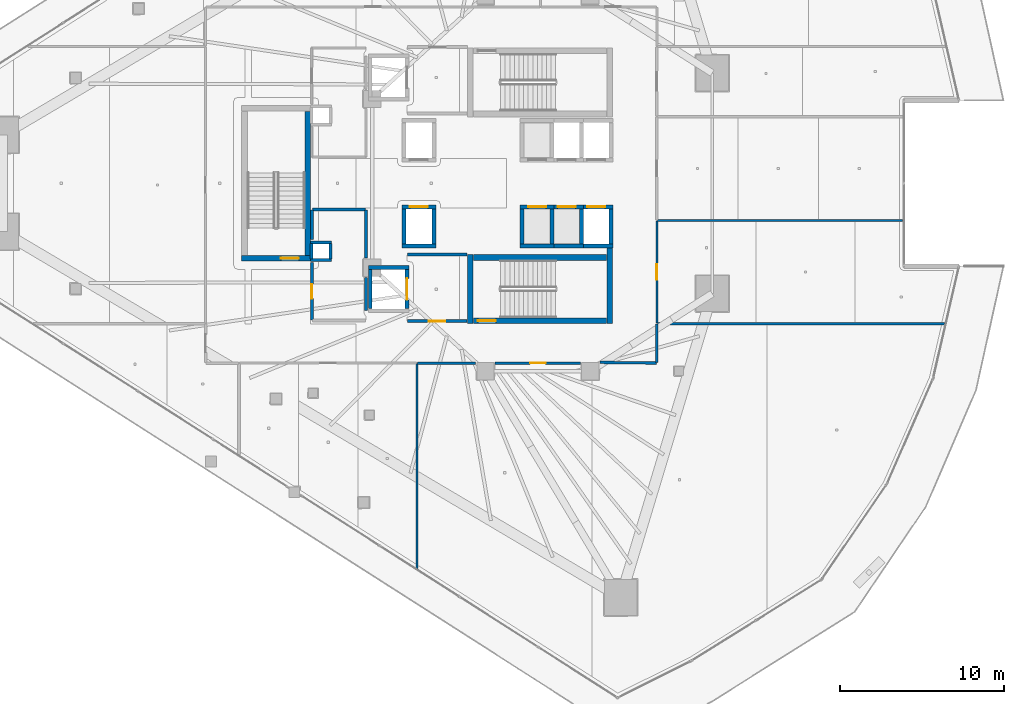
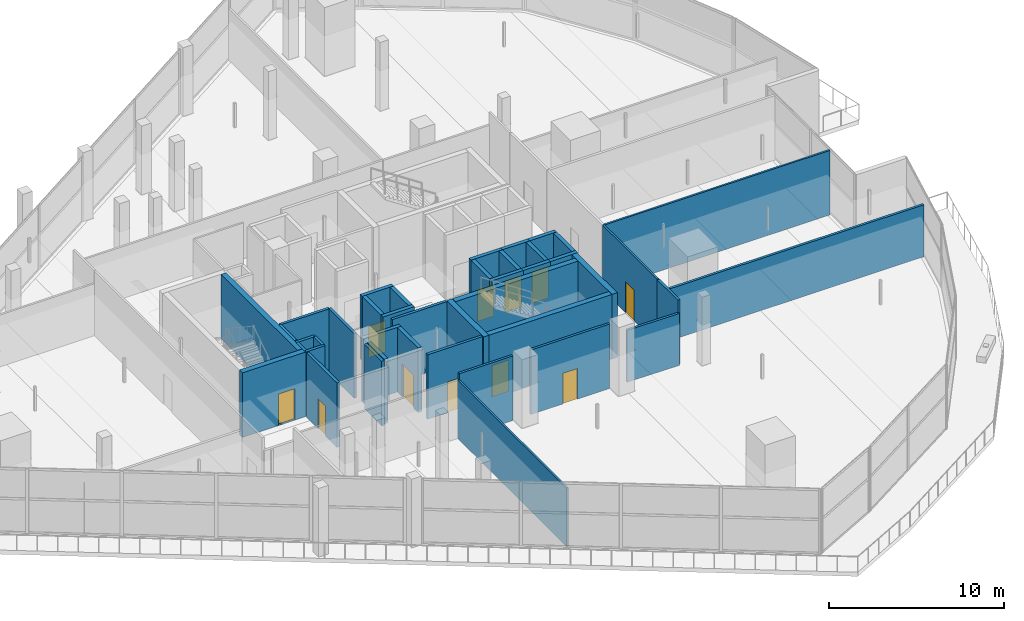
# One storey, part 26 of 42: 42 walls, 11 doors, 11 openings.
"""IFC4 building model written with IfcOpenShell, lengths in metres."""

from ifc_helpers import new_model, si_unit, direction, frame, frame_2d, origin, place, context, subcontext, project, spatial, rectangle, extrude, material, layer, layer_set, type_object, element, fill, save


model = new_model("IFC4")

# Units and contexts
model_context = context("Model", 3, precision=1e-05, world=origin(), true_north=direction((0.0, 1.0)))
body_context = subcontext(model_context, "Body", "Model", "MODEL_VIEW")
ifc_project = project(units=[si_unit("LENGTHUNIT", "METRE"), si_unit("AREAUNIT", "SQUARE_METRE"), si_unit("VOLUMEUNIT", "CUBIC_METRE"), si_unit("PLANEANGLEUNIT", "RADIAN"), si_unit("MASSUNIT", "GRAM", prefix="KILO")], contexts=[model_context])

# Site, building, storey
site_placement = place(None, origin())
site = spatial("IfcSite", under=ifc_project, at=site_placement, CompositionType="ELEMENT")
building_placement = place(site_placement, origin())
building = spatial("IfcBuilding", under=site, at=building_placement, Name="Qorvath Tower", CompositionType="ELEMENT")
storey_placement = place(building_placement, frame((0.0, 0.0, 105.0)))
storey = spatial("IfcBuildingStorey", under=building, at=storey_placement, Name="L23", CompositionType="ELEMENT", Elevation=105.0)

# Walls
ifc_material_1 = material(Name="Gypsum shaftliner on steel studs", Category="steel")
ifc_layer_1 = layer(ifc_material_1, 0.179931640625)
ifc_layer_set_1 = layer_set([ifc_layer_1], Name="FW-LOBBY")
wall_type_1 = type_object("IfcWallType", Name="FW-LOBBY", PredefinedType="PARTITIONING", material=ifc_layer_set_1)
for number, where, z_axis, x_axis, name in (
    (1, (-32.989990234375, -4.675048828125, 0.0), (0.0, 0.0, 1.0), (-1.0, 0.0, 0.0), "MEP Riser Shaft Enclosure Wall S-L23-S"),
    (2, (-34.260009765625, -3.594970703125, 0.0), (0.0, 0.0, 1.0), (1.0, 0.0, 0.0), "MEP Riser Shaft Enclosure Wall S-L23-N"),
):
    element("IfcWall", number, at=place(storey_placement, frame(where, z_axis=z_axis, x_axis=x_axis)), inside=storey, type_object=wall_type_1, Name=name, PredefinedType="PARTITIONING", context=body_context, shape_type="SweptSolid", body=[
        extrude(rectangle(XDim=1.27001953125, YDim=0.179931640625, at=frame_2d((0.635009765625, 0.0))), origin(), (0.0, 0.0, 1.0), 4.52001953125),
    ])
for number, where, z_axis, x_axis, name in (
    (3, (-34.205078125, -4.610107421875, 0.0), (0.0, 0.0, 1.0), (0.0, 1.0, 0.0), "MEP Riser Shaft Enclosure Wall S-L23-W"),
    (4, (-33.044921875, -3.659912109375, 0.0), (0.0, 0.0, 1.0), (0.0, -1.0, 0.0), "MEP Riser Shaft Enclosure Wall S-L23-E"),
):
    element("IfcWall", number, at=place(storey_placement, frame(where, z_axis=z_axis, x_axis=x_axis)), inside=storey, type_object=wall_type_1, Name=name, PredefinedType="PARTITIONING", context=body_context, shape_type="SweptSolid", body=[
        extrude(rectangle(XDim=0.9501953125, YDim=0.179931640625, at=frame_2d((0.47509765625, 0.0))), origin(), (0.0, 0.0, 1.0), 4.52001953125),
    ])

# Wall, opening, door
wall_1_placement = place(storey_placement, frame((-28.35498046875, -8.39990234375, 0.0), z_axis=(0.0, 0.0, 1.0), x_axis=(1.0, 0.0, 0.0)))
wall_1 = element("IfcWall", 5, at=wall_1_placement, inside=storey, type_object=wall_type_1, Name="Interior Partition IW-T1-L23-003", PredefinedType="PARTITIONING", context=body_context, shape_type="SweptSolid", body=[
    extrude(rectangle(XDim=3.6220703125, YDim=0.179931640625, at=frame_2d((1.81103515625, 0.0))), origin(), (0.0, 0.0, 1.0), 4.52001953125),
])
opening_1_placement = place(wall_1_placement, frame((1.31103515625, 0.0, 0.0)))
opening_1 = element("IfcOpeningElement", 6, at=opening_1_placement, cuts=wall_1, Name="Opening D-T1-L23-13", PredefinedType="OPENING", context=body_context, shape_type="SweptSolid", body=[
    extrude(rectangle(XDim=1.0, YDim=2.14990234375, at=frame_2d((0.5, 1.074951171875))), frame((0.0, 0.10009765625, 0.0), z_axis=(0.0, -1.0, 0.0), x_axis=(1.0, 0.0, 0.0)), (0.0, 0.0, 1.0), 0.199951171875),
])
ifc_material_2 = material(Name="Painted galvanised hollow metal", Category="steel")
door_type_1 = type_object("IfcDoorType", Name="FD-60", OperationType="NOTDEFINED", PredefinedType="DOOR", material=ifc_material_2)
door_1_placement = place(opening_1_placement, origin())
door_1 = element("IfcDoor", 7, at=door_1_placement, inside=storey, type_object=door_type_1, Name="Lobby Fire Service Elevator South Door D-T1-L23-13", OperationType="SINGLE_SWING_RIGHT", OverallHeight=2.14990234375, OverallWidth=1.0, PredefinedType="DOOR", context=body_context, shape_type="SweptSolid", body=[
    extrude(rectangle(XDim=1.0, YDim=2.14990234375, at=frame_2d((0.5, 1.074951171875))), frame((0.0, 0.02490234375, 0.0), z_axis=(0.0, -1.0, 0.0), x_axis=(1.0, 0.0, 0.0)), (0.0, 0.0, 1.0), 0.050048828125),
])
fill(opening_1, door_1)

# Walls
wall_2_placement = place(storey_placement, frame((-24.73291015625, -4.35009765625, 0.0), z_axis=(0.0, 0.0, 1.0), x_axis=(-1.0, 0.0, 0.0)))
element("IfcWall", 8, at=wall_2_placement, inside=storey, type_object=wall_type_1, Name="Interior Partition IW-T1-L23-004", PredefinedType="PARTITIONING", context=body_context, shape_type="SweptSolid", body=[
    extrude(rectangle(XDim=3.6220703125, YDim=0.179931640625, at=frame_2d((1.81103515625, 0.0))), origin(), (0.0, 0.0, 1.0), 4.52001953125),
])
wall_3_placement = place(storey_placement, frame((-30.8798828125, -7.742919921875, 0.0), z_axis=(0.0, 0.0, 1.0), x_axis=(0.0, 1.0, 0.0)))
element("IfcWall", 9, at=wall_3_placement, inside=storey, type_object=wall_type_1, Name="Interior Partition IW-T1-L23-012", PredefinedType="PARTITIONING", context=body_context, shape_type="SweptSolid", body=[
    extrude(rectangle(XDim=2.0029296875, YDim=0.179931640625, at=frame_2d((1.00146484375, 0.0))), origin(), (0.0, 0.0, 1.0), 4.52001953125),
])
wall_4_placement = place(storey_placement, frame((-30.8798828125, -4.56005859375, 0.0), z_axis=(0.0, 0.0, 1.0), x_axis=(0.0, 1.0, 0.0)))
element("IfcWall", 10, at=wall_4_placement, inside=storey, type_object=wall_type_1, Name="Interior Partition IW-T1-L23-013", PredefinedType="PARTITIONING", context=body_context, shape_type="SweptSolid", body=[
    extrude(rectangle(XDim=2.93505859375, YDim=0.179931640625, at=frame_2d((1.467529296875, 0.0))), origin(), (0.0, 0.0, 1.0), 4.52001953125),
])
wall_5_placement = place(storey_placement, frame((-30.90478515625, -1.60009765625, 0.0), z_axis=(0.0, 0.0, 1.0), x_axis=(-1.0, 0.0, 0.0)))
element("IfcWall", 11, at=wall_5_placement, inside=storey, type_object=wall_type_1, Name="Interior Partition IW-T1-L23-014", PredefinedType="PARTITIONING", context=body_context, shape_type="SweptSolid", body=[
    extrude(rectangle(XDim=3.25, YDim=0.179931640625, at=frame_2d((1.625, 0.0))), origin(), (0.0, 0.0, 1.0), 4.52001953125),
])
wall_6_placement = place(storey_placement, frame((-34.179931640625, -1.625, 0.0), z_axis=(0.0, 0.0, 1.0), x_axis=(0.0, -1.0, 0.0)))
element("IfcWall", 12, at=wall_6_placement, inside=storey, type_object=wall_type_1, Name="Interior Partition IW-T1-L23-015", PredefinedType="PARTITIONING", context=body_context, shape_type="SweptSolid", body=[
    extrude(rectangle(XDim=1.804931640625, YDim=0.179931640625, at=frame_2d((0.90234375, 0.0))), origin(), (0.0, 0.0, 1.0), 4.52001953125),
])

# Wall, opening, door
wall_7_placement = place(storey_placement, frame((-34.179931640625, -4.840087890625, 0.0), z_axis=(0.0, 0.0, 1.0), x_axis=(0.0, -1.0, 0.0)))
wall_7 = element("IfcWall", 13, at=wall_7_placement, inside=storey, type_object=wall_type_1, Name="Interior Partition IW-T1-L23-016", PredefinedType="PARTITIONING", context=body_context, shape_type="SweptSolid", body=[
    extrude(rectangle(XDim=3.485107421875, YDim=0.179931640625, at=frame_2d((1.74267578125, 0.0))), origin(), (0.0, 0.0, 1.0), 4.52001953125),
])
opening_2_placement = place(wall_7_placement, frame((1.302490234375, 0.0, 0.0)))
opening_2 = element("IfcOpeningElement", 14, at=opening_2_placement, cuts=wall_7, Name="Opening D-T1-L23-02", PredefinedType="OPENING", context=body_context, shape_type="SweptSolid", body=[
    extrude(rectangle(XDim=0.8798828125, YDim=2.10009765625, at=frame_2d((0.43994140625, 1.050048828125))), frame((0.0, 0.10009765625, 0.0), z_axis=(0.0, -1.0, 0.0), x_axis=(1.0, 0.0, 0.0)), (0.0, 0.0, 1.0), 0.199951171875),
])
ifc_material_3 = material(Name="Painted galvanised hollow metal", Category="steel")
door_type_2 = type_object("IfcDoorType", Name="FD-60N", OperationType="NOTDEFINED", PredefinedType="DOOR", material=ifc_material_3)
door_2_placement = place(opening_2_placement, origin())
door_2 = element("IfcDoor", 15, at=door_2_placement, inside=storey, type_object=door_type_2, Name="Core electrical and cleaner room L23 Door D-T1-L23-02", OperationType="SINGLE_SWING_LEFT", OverallHeight=2.10009765625, OverallWidth=0.8798828125, PredefinedType="DOOR", context=body_context, shape_type="SweptSolid", body=[
    extrude(rectangle(XDim=0.8798828125, YDim=2.10009765625, at=frame_2d((0.43994140625, 1.050048828125))), frame((0.0, 0.02490234375, 0.0), z_axis=(0.0, -1.0, 0.0), x_axis=(1.0, 0.0, 0.0)), (0.0, 0.0, 1.0), 0.050048828125),
])
fill(opening_2, door_2)

# Walls
ifc_material_4 = material(Name="Double acoustic gypsum board on steel studs", Category="steel")
ifc_layer_2 = layer(ifc_material_4, 0.159912109375)
ifc_layer_set_2 = layer_set([ifc_layer_2], Name="IW-ACOUSTIC-160")
wall_type_2 = type_object("IfcWallType", Name="IW-ACOUSTIC-160", PredefinedType="PARTITIONING", material=ifc_layer_set_2)
wall_8_placement = place(storey_placement, frame((-24.18994140625, -10.9580078125, 0.0), z_axis=(0.0, 0.0, 1.0), x_axis=(-1.0, 0.0, 0.0)))
element("IfcWall", 16, at=wall_8_placement, inside=storey, type_object=wall_type_2, Name="Interior Partition IW-T1-L23-030", PredefinedType="PARTITIONING", context=body_context, shape_type="SweptSolid", body=[
    extrude(rectangle(XDim=3.5400390625, YDim=0.159912109375, at=frame_2d((1.77001953125, 0.0))), origin(), (0.0, 0.0, 1.0), 4.52001953125),
])
wall_9_placement = place(storey_placement, frame((4.3916015625, -8.554443359375, 0.0), z_axis=(0.0, 0.0, 1.0), x_axis=(-0.999999968502, 0.000250990008, 0.0)))
element("IfcWall", 17, at=wall_9_placement, inside=storey, type_object=wall_type_2, Name="Interior Partition IW-T1-L23-031", PredefinedType="PARTITIONING", context=body_context, shape_type="SweptSolid", body=[
    extrude(rectangle(XDim=17.5087890625, YDim=0.159912109375, at=frame_2d((8.75439453125, 0.0))), origin(), (0.0, 0.0, 1.0), 3.635009765625),
])
wall_10_placement = place(storey_placement, frame((-13.14208984375, -8.574951171875, 0.0), z_axis=(0.0, 0.0, 1.0), x_axis=(0.0, -1.0, 0.0)))
element("IfcWall", 18, at=wall_10_placement, inside=storey, type_object=wall_type_2, Name="Interior Partition IW-T1-L23-032", PredefinedType="PARTITIONING", context=body_context, shape_type="SweptSolid", body=[
    extrude(rectangle(XDim=2.358154296875, YDim=0.159912109375, at=frame_2d((1.17919921875, 0.0))), origin(), (0.0, 0.0, 1.0), 4.52001953125),
])
wall_11_placement = place(storey_placement, frame((-13.1669921875, -10.957763671875, 0.0), z_axis=(0.0, 0.0, 1.0), x_axis=(-0.9999282084, 0.011982405674, 0.0)))
element("IfcWall", 19, at=wall_11_placement, inside=storey, type_object=wall_type_2, Name="Interior Partition IW-T1-L23-033", PredefinedType="PARTITIONING", context=body_context, shape_type="SweptSolid", body=[
    extrude(rectangle(XDim=3.443359375, YDim=0.159912109375, at=frame_2d((1.7216796875, 0.0))), origin(), (0.0, 0.0, 1.0), 3.635009765625),
])

# Wall, opening, door
wall_12_placement = place(storey_placement, frame((-17.7900390625, -10.9580078125, 0.0), z_axis=(0.0, 0.0, 1.0), x_axis=(-1.0, 0.0, 0.0)))
wall_12 = element("IfcWall", 20, at=wall_12_placement, inside=storey, type_object=wall_type_2, Name="Interior Partition IW-T1-L23-034", PredefinedType="PARTITIONING", context=body_context, shape_type="SweptSolid", body=[
    extrude(rectangle(XDim=5.219970703125, YDim=0.159912109375, at=frame_2d((2.60986328125, 0.0))), origin(), (0.0, 0.0, 1.0), 4.52001953125),
])
opening_3_placement = place(wall_12_placement, frame((2.135009765625, 0.0, 0.0)))
opening_3 = element("IfcOpeningElement", 21, at=opening_3_placement, cuts=wall_12, Name="Opening D-T1-L23-07", PredefinedType="OPENING", context=body_context, shape_type="SweptSolid", body=[
    extrude(rectangle(XDim=0.949951171875, YDim=2.14990234375, at=frame_2d((0.47509765625, 1.074951171875))), frame((0.0, 0.08984375, 0.0), z_axis=(0.0, -1.0, 0.0), x_axis=(1.0, 0.0, 0.0)), (0.0, 0.0, 1.0), 0.179931640625),
])
ifc_material_5 = material(Name="Solid-core American white oak veneer", Category="wood")
door_type_3 = type_object("IfcDoorType", Name="D-01", OperationType="NOTDEFINED", PredefinedType="DOOR", material=ifc_material_5)
door_3_placement = place(opening_3_placement, origin())
door_3 = element("IfcDoor", 22, at=door_3_placement, inside=storey, type_object=door_type_3, Name="L23-05 Sky Staff Wellness Studio Door D-T1-L23-07", OperationType="SINGLE_SWING_RIGHT", OverallHeight=2.14990234375, OverallWidth=0.949951171875, PredefinedType="DOOR", context=body_context, shape_type="SweptSolid", body=[
    extrude(rectangle(XDim=0.949951171875, YDim=2.14990234375, at=frame_2d((0.47509765625, 1.074951171875))), frame((0.0, 0.02490234375, 0.0), z_axis=(0.0, -1.0, 0.0), x_axis=(1.0, 0.0, 0.0)), (0.0, 0.0, 1.0), 0.050048828125),
])
fill(opening_3, door_3)

# Walls
ifc_material_6 = material(Name="Gypsum board on metal studs with mineral wool", Category="gypsum")
ifc_layer_3 = layer(ifc_material_6, 0.125)
ifc_layer_set_3 = layer_set([ifc_layer_3], Name="IW-PART-125")
wall_type_3 = type_object("IfcWallType", Name="IW-PART-125", PredefinedType="PARTITIONING", material=ifc_layer_set_3)
wall_13_placement = place(storey_placement, frame((-27.762939453125, -23.481201171875, 0.0), z_axis=(0.0, 0.0, 1.0), x_axis=(0.0, 1.0, 0.0)))
element("IfcWall", 23, at=wall_13_placement, inside=storey, type_object=wall_type_3, Name="Interior Partition IW-T1-L23-028", PredefinedType="PARTITIONING", context=body_context, shape_type="SweptSolid", body=[
    extrude(rectangle(XDim=12.498291015625, YDim=0.125, at=frame_2d((6.2490234375, 0.0))), origin(), (0.0, 0.0, 1.0), 4.083984375),
])
wall_14_placement = place(storey_placement, frame((1.83056640625, -2.2685546875, 0.0), z_axis=(0.0, 0.0, 1.0), x_axis=(-1.0, 0.0, 0.0)))
element("IfcWall", 24, at=wall_14_placement, inside=storey, type_object=wall_type_3, Name="Interior Partition IW-T1-L23-035", PredefinedType="PARTITIONING", context=body_context, shape_type="SweptSolid", body=[
    extrude(rectangle(XDim=14.94775390625, YDim=0.125, at=frame_2d((7.473876953125, 0.0))), origin(), (0.0, 0.0, 1.0), 4.52001953125),
])

# Wall, opening, door
wall_15_placement = place(storey_placement, frame((-13.14208984375, -2.293701171875, 0.0), z_axis=(0.0, 0.0, 1.0), x_axis=(0.0, -1.0, 0.0)))
wall_15 = element("IfcWall", 25, at=wall_15_placement, inside=storey, type_object=wall_type_3, Name="Interior Partition IW-T1-L23-036", PredefinedType="PARTITIONING", context=body_context, shape_type="SweptSolid", body=[
    extrude(rectangle(XDim=6.223388671875, YDim=0.125, at=frame_2d((3.11181640625, 0.0))), origin(), (0.0, 0.0, 1.0), 4.52001953125),
])
opening_4_placement = place(wall_15_placement, frame((2.63671875, 0.0, 0.0)))
opening_4 = element("IfcOpeningElement", 26, at=opening_4_placement, cuts=wall_15, Name="Opening D-T1-L23-08", PredefinedType="OPENING", context=body_context, shape_type="SweptSolid", body=[
    extrude(rectangle(XDim=0.949951171875, YDim=2.14990234375, at=frame_2d((0.47509765625, 1.074951171875))), frame((0.0, 0.072509765625, 0.0), z_axis=(0.0, -1.0, 0.0), x_axis=(1.0, 0.0, 0.0)), (0.0, 0.0, 1.0), 0.14501953125),
])
door_4_placement = place(opening_4_placement, origin())
door_4 = element("IfcDoor", 27, at=door_4_placement, inside=storey, type_object=door_type_3, Name="L23-06 Sky Executive Partner Office Door D-T1-L23-08", OperationType="SINGLE_SWING_LEFT", OverallHeight=2.14990234375, OverallWidth=0.949951171875, PredefinedType="DOOR", context=body_context, shape_type="SweptSolid", body=[
    extrude(rectangle(XDim=0.949951171875, YDim=2.14990234375, at=frame_2d((0.47509765625, 1.074951171875))), frame((0.0, 0.02490234375, 0.0), z_axis=(0.0, -1.0, 0.0), x_axis=(1.0, 0.0, 0.0)), (0.0, 0.0, 1.0), 0.050048828125),
])
fill(opening_4, door_4)

# Walls
ifc_material_7 = material(Name="Concrete C60/75", Category="concrete")
ifc_layer_4 = layer(ifc_material_7, 0.260009765625)
ifc_layer_set_4 = layer_set([ifc_layer_4], Name="SW-SHAFT")
wall_type_4 = type_object("IfcWallType", Name="SW-SHAFT", PredefinedType="SHEAR", material=ifc_layer_set_4)
wall_16_placement = place(storey_placement, frame((-30.739990234375, -5.1298828125, 0.0), z_axis=(0.0, 0.0, 1.0), x_axis=(1.0, 0.0, 0.0)))
element("IfcWall", 28, at=wall_16_placement, inside=storey, type_object=wall_type_4, Name="Hoistway Wall FSAE-2 L23 N", PredefinedType="SHEAR", context=body_context, shape_type="SweptSolid", body=[
    extrude(rectangle(XDim=2.47998046875, YDim=0.239990234375, at=frame_2d((1.239990234375, 0.0))), origin(), (0.0, 0.0, 1.0), 4.52001953125),
])
wall_17_placement = place(storey_placement, frame((-30.6201171875, -7.637939453125, 0.0), z_axis=(0.0, 0.0, 1.0), x_axis=(0.0, 1.0, 0.0)))
element("IfcWall", 29, at=wall_17_placement, inside=storey, type_object=wall_type_4, Name="Hoistway Wall FSAE-2 L23 W", PredefinedType="SHEAR", context=body_context, shape_type="SweptSolid", body=[
    extrude(rectangle(XDim=2.3759765625, YDim=0.239990234375, at=frame_2d((1.18798828125, 0.0))), origin(), (0.0, 0.0, 1.0), 4.52001953125),
])

# Wall, opening, door
wall_18_placement = place(storey_placement, frame((-28.3798828125, -5.261962890625, 0.0), z_axis=(0.0, 0.0, 1.0), x_axis=(0.0, -1.0, 0.0)))
wall_18 = element("IfcWall", 30, at=wall_18_placement, inside=storey, type_object=wall_type_4, Name="Hoistway Wall FSAE-2 L23 E", PredefinedType="SHEAR", context=body_context, shape_type="SweptSolid", body=[
    extrude(rectangle(XDim=2.3759765625, YDim=0.239990234375, at=frame_2d((1.18798828125, 0.0))), origin(), (0.0, 0.0, 1.0), 4.52001953125),
])
opening_5_placement = place(wall_18_placement, frame((0.5380859375, 0.0, 0.0)))
opening_5 = element("IfcOpeningElement", 31, at=opening_5_placement, cuts=wall_18, Name="Opening LD-FSAE-2-L23", PredefinedType="OPENING", context=body_context, shape_type="SweptSolid", body=[
    extrude(rectangle(XDim=1.300048828125, YDim=2.300048828125, at=frame_2d((0.64990234375, 1.14990234375))), frame((0.0, 0.1298828125, 0.0), z_axis=(0.0, -1.0, 0.0), x_axis=(1.0, 0.0, 0.0)), (0.0, 0.0, 1.0), 0.260009765625),
])
ifc_material_8 = material(Name="Brushed stainless steel AISI 316", Category="steel")
door_type_4 = type_object("IfcDoorType", Name="LD-02", OperationType="NOTDEFINED", PredefinedType="DOOR", material=ifc_material_8)
door_5_placement = place(opening_5_placement, origin())
door_5 = element("IfcDoor", 32, at=door_5_placement, inside=storey, type_object=door_type_4, Name="Elevator Landing Sliding Door LD-FSAE-2-L23", OperationType="DOUBLE_DOOR_SLIDING", OverallHeight=2.300048828125, OverallWidth=1.300048828125, PredefinedType="DOOR", context=body_context, shape_type="SweptSolid", body=[
    extrude(rectangle(XDim=1.300048828125, YDim=2.300048828125, at=frame_2d((0.64990234375, 1.14990234375))), frame((0.0, 0.02490234375, 0.0), z_axis=(0.0, -1.0, 0.0), x_axis=(1.0, 0.0, 0.0)), (0.0, 0.0, 1.0), 0.050048828125),
])
fill(opening_5, door_5)

# Wall
wall_19_placement = place(storey_placement, frame((-26.610107421875, -3.820068359375, 0.0), z_axis=(0.0, 0.0, 1.0), x_axis=(-1.0, 0.0, 0.0)))
element("IfcWall", 33, at=wall_19_placement, inside=storey, type_object=wall_type_4, Name="Hoistway Wall PS-2 L23 S", PredefinedType="SHEAR", context=body_context, shape_type="SweptSolid", body=[
    extrude(rectangle(XDim=2.079833984375, YDim=0.239990234375, at=frame_2d((1.0400390625, 0.0))), origin(), (0.0, 0.0, 1.0), 4.52001953125),
])

# Wall, opening, door
wall_20_placement = place(storey_placement, frame((-28.68994140625, -1.429931640625, 0.0), z_axis=(0.0, 0.0, 1.0), x_axis=(1.0, 0.0, 0.0)))
wall_20 = element("IfcWall", 34, at=wall_20_placement, inside=storey, type_object=wall_type_4, Name="Hoistway Wall PS-2 L23 N", PredefinedType="SHEAR", context=body_context, shape_type="SweptSolid", body=[
    extrude(rectangle(XDim=2.079833984375, YDim=0.239990234375, at=frame_2d((1.0400390625, 0.0))), origin(), (0.0, 0.0, 1.0), 4.52001953125),
])
opening_6_placement = place(wall_20_placement, frame((0.489990234375, 0.0, 0.0)))
opening_6 = element("IfcOpeningElement", 35, at=opening_6_placement, cuts=wall_20, Name="Opening LD-PS-2-L23", PredefinedType="OPENING", context=body_context, shape_type="SweptSolid", body=[
    extrude(rectangle(XDim=1.10009765625, YDim=2.199951171875, at=frame_2d((0.550048828125, 1.10009765625))), frame((0.0, 0.1298828125, 0.0), z_axis=(0.0, -1.0, 0.0), x_axis=(1.0, 0.0, 0.0)), (0.0, 0.0, 1.0), 0.260009765625),
])
ifc_material_9 = material(Name="Brushed stainless steel AISI 316", Category="steel")
door_type_5 = type_object("IfcDoorType", Name="LD-01", OperationType="NOTDEFINED", PredefinedType="DOOR", material=ifc_material_9)
door_6_placement = place(opening_6_placement, origin())
door_6 = element("IfcDoor", 36, at=door_6_placement, inside=storey, type_object=door_type_5, Name="Elevator Landing Sliding Door LD-PS-2-L23", OperationType="DOUBLE_DOOR_SLIDING", OverallHeight=2.199951171875, OverallWidth=1.10009765625, PredefinedType="DOOR", context=body_context, shape_type="SweptSolid", body=[
    extrude(rectangle(XDim=1.10009765625, YDim=2.199951171875, at=frame_2d((0.550048828125, 1.10009765625))), frame((0.0, 0.02490234375, 0.0), z_axis=(0.0, -1.0, 0.0), x_axis=(1.0, 0.0, 0.0)), (0.0, 0.0, 1.0), 0.050048828125),
])
fill(opening_6, door_6)

# Walls
for number, where, z_axis, x_axis, name in (
    (37, (-28.570068359375, -3.68798828125, 0.0), (0.0, 0.0, 1.0), (0.0, 1.0, 0.0), "Hoistway Wall PS-2 L23 W"),
    (38, (-26.72998046875, -1.56201171875, 0.0), (0.0, 0.0, 1.0), (0.0, -1.0, 0.0), "Hoistway Wall PS-2 L23 E"),
):
    element("IfcWall", number, at=place(storey_placement, frame(where, z_axis=z_axis, x_axis=x_axis)), inside=storey, type_object=wall_type_4, Name=name, PredefinedType="SHEAR", context=body_context, shape_type="SweptSolid", body=[
        extrude(rectangle(XDim=2.1259765625, YDim=0.239990234375, at=frame_2d((1.06298828125, 0.0))), origin(), (0.0, 0.0, 1.0), 4.52001953125),
    ])
wall_21_placement = place(storey_placement, frame((-19.409912109375, -3.820068359375, 0.0), z_axis=(0.0, 0.0, 1.0), x_axis=(-1.0, 0.0, 0.0)))
element("IfcWall", 39, at=wall_21_placement, inside=storey, type_object=wall_type_4, Name="Hoistway Wall PM-2 L23 S", PredefinedType="SHEAR", context=body_context, shape_type="SweptSolid", body=[
    extrude(rectangle(XDim=2.080078125, YDim=0.239990234375, at=frame_2d((1.0400390625, 0.0))), origin(), (0.0, 0.0, 1.0), 4.52001953125),
])

# Wall, opening, door
wall_22_placement = place(storey_placement, frame((-21.489990234375, -1.429931640625, 0.0), z_axis=(0.0, 0.0, 1.0), x_axis=(1.0, 0.0, 0.0)))
wall_22 = element("IfcWall", 40, at=wall_22_placement, inside=storey, type_object=wall_type_4, Name="Hoistway Wall PM-2 L23 N", PredefinedType="SHEAR", context=body_context, shape_type="SweptSolid", body=[
    extrude(rectangle(XDim=2.080078125, YDim=0.239990234375, at=frame_2d((1.0400390625, 0.0))), origin(), (0.0, 0.0, 1.0), 4.52001953125),
])
opening_7_placement = place(wall_22_placement, frame((0.489990234375, 0.0, 0.0)))
opening_7 = element("IfcOpeningElement", 41, at=opening_7_placement, cuts=wall_22, Name="Opening LD-PM-2-L23", PredefinedType="OPENING", context=body_context, shape_type="SweptSolid", body=[
    extrude(rectangle(XDim=1.10009765625, YDim=2.199951171875, at=frame_2d((0.550048828125, 1.10009765625))), frame((0.0, 0.1298828125, 0.0), z_axis=(0.0, -1.0, 0.0), x_axis=(1.0, 0.0, 0.0)), (0.0, 0.0, 1.0), 0.260009765625),
])
door_7_placement = place(opening_7_placement, origin())
door_7 = element("IfcDoor", 42, at=door_7_placement, inside=storey, type_object=door_type_5, Name="Elevator Landing Sliding Door LD-PM-2-L23", OperationType="DOUBLE_DOOR_SLIDING", OverallHeight=2.199951171875, OverallWidth=1.10009765625, PredefinedType="DOOR", context=body_context, shape_type="SweptSolid", body=[
    extrude(rectangle(XDim=1.10009765625, YDim=2.199951171875, at=frame_2d((0.550048828125, 1.10009765625))), frame((0.0, 0.02490234375, 0.0), z_axis=(0.0, -1.0, 0.0), x_axis=(1.0, 0.0, 0.0)), (0.0, 0.0, 1.0), 0.050048828125),
])
fill(opening_7, door_7)

# Walls
for number, where, z_axis, x_axis, name in (
    (43, (-21.3701171875, -3.68798828125, 0.0), (0.0, 0.0, 1.0), (0.0, 1.0, 0.0), "Hoistway Wall PM-2 L23 W"),
    (44, (-19.530029296875, -1.56201171875, 0.0), (0.0, 0.0, 1.0), (0.0, -1.0, 0.0), "Hoistway Wall PM-2 L23 E"),
):
    element("IfcWall", number, at=place(storey_placement, frame(where, z_axis=z_axis, x_axis=x_axis)), inside=storey, type_object=wall_type_4, Name=name, PredefinedType="SHEAR", context=body_context, shape_type="SweptSolid", body=[
        extrude(rectangle(XDim=2.1259765625, YDim=0.239990234375, at=frame_2d((1.06298828125, 0.0))), origin(), (0.0, 0.0, 1.0), 4.52001953125),
    ])
wall_23_placement = place(storey_placement, frame((-17.610107421875, -3.820068359375, 0.0), z_axis=(0.0, 0.0, 1.0), x_axis=(-1.0, 0.0, 0.0)))
element("IfcWall", 45, at=wall_23_placement, inside=storey, type_object=wall_type_4, Name="Hoistway Wall PM-3 L23 S", PredefinedType="SHEAR", context=body_context, shape_type="SweptSolid", body=[
    extrude(rectangle(XDim=1.7998046875, YDim=0.239990234375, at=frame_2d((0.89990234375, 0.0))), origin(), (0.0, 0.0, 1.0), 4.52001953125),
])

# Wall, opening, door
wall_24_placement = place(storey_placement, frame((-19.409912109375, -1.429931640625, 0.0), z_axis=(0.0, 0.0, 1.0), x_axis=(1.0, 0.0, 0.0)))
wall_24 = element("IfcWall", 46, at=wall_24_placement, inside=storey, type_object=wall_type_4, Name="Hoistway Wall PM-3 L23 N", PredefinedType="SHEAR", context=body_context, shape_type="SweptSolid", body=[
    extrude(rectangle(XDim=1.7998046875, YDim=0.239990234375, at=frame_2d((0.89990234375, 0.0))), origin(), (0.0, 0.0, 1.0), 4.52001953125),
])
opening_8_placement = place(wall_24_placement, frame((0.2099609375, 0.0, 0.0)))
opening_8 = element("IfcOpeningElement", 47, at=opening_8_placement, cuts=wall_24, Name="Opening LD-PM-3-L23", PredefinedType="OPENING", context=body_context, shape_type="SweptSolid", body=[
    extrude(rectangle(XDim=1.10009765625, YDim=2.199951171875, at=frame_2d((0.550048828125, 1.10009765625))), frame((0.0, 0.1298828125, 0.0), z_axis=(0.0, -1.0, 0.0), x_axis=(1.0, 0.0, 0.0)), (0.0, 0.0, 1.0), 0.260009765625),
])
door_8_placement = place(opening_8_placement, origin())
door_8 = element("IfcDoor", 48, at=door_8_placement, inside=storey, type_object=door_type_5, Name="Elevator Landing Sliding Door LD-PM-3-L23", OperationType="DOUBLE_DOOR_SLIDING", OverallHeight=2.199951171875, OverallWidth=1.10009765625, PredefinedType="DOOR", context=body_context, shape_type="SweptSolid", body=[
    extrude(rectangle(XDim=1.10009765625, YDim=2.199951171875, at=frame_2d((0.550048828125, 1.10009765625))), frame((0.0, 0.02490234375, 0.0), z_axis=(0.0, -1.0, 0.0), x_axis=(1.0, 0.0, 0.0)), (0.0, 0.0, 1.0), 0.050048828125),
])
fill(opening_8, door_8)

# Walls
wall_25_placement = place(storey_placement, frame((-17.72998046875, -1.56201171875, 0.0), z_axis=(0.0, 0.0, 1.0), x_axis=(0.0, -1.0, 0.0)))
element("IfcWall", 49, at=wall_25_placement, inside=storey, type_object=wall_type_4, Name="Hoistway Wall PM-3 L23 E", PredefinedType="SHEAR", context=body_context, shape_type="SweptSolid", body=[
    extrude(rectangle(XDim=2.1259765625, YDim=0.239990234375, at=frame_2d((1.06298828125, 0.0))), origin(), (0.0, 0.0, 1.0), 4.52001953125),
])
wall_26_placement = place(storey_placement, frame((-15.81005859375, -3.820068359375, 0.0), z_axis=(0.0, 0.0, 1.0), x_axis=(-1.0, 0.0, 0.0)))
element("IfcWall", 50, at=wall_26_placement, inside=storey, type_object=wall_type_4, Name="Hoistway Wall PL-2 L23 S", PredefinedType="SHEAR", context=body_context, shape_type="SweptSolid", body=[
    extrude(rectangle(XDim=1.800048828125, YDim=0.239990234375, at=frame_2d((0.89990234375, 0.0))), origin(), (0.0, 0.0, 1.0), 4.52001953125),
])

# Wall, opening, door
wall_27_placement = place(storey_placement, frame((-17.610107421875, -1.429931640625, 0.0), z_axis=(0.0, 0.0, 1.0), x_axis=(1.0, 0.0, 0.0)))
wall_27 = element("IfcWall", 51, at=wall_27_placement, inside=storey, type_object=wall_type_4, Name="Hoistway Wall PL-2 L23 N", PredefinedType="SHEAR", context=body_context, shape_type="SweptSolid", body=[
    extrude(rectangle(XDim=1.800048828125, YDim=0.239990234375, at=frame_2d((0.89990234375, 0.0))), origin(), (0.0, 0.0, 1.0), 4.52001953125),
])
opening_9_placement = place(wall_27_placement, frame((0.2099609375, 0.0, 0.0)))
opening_9 = element("IfcOpeningElement", 52, at=opening_9_placement, cuts=wall_27, Name="Opening LD-PL-2-L23", PredefinedType="OPENING", context=body_context, shape_type="SweptSolid", body=[
    extrude(rectangle(XDim=1.10009765625, YDim=2.199951171875, at=frame_2d((0.550048828125, 1.10009765625))), frame((0.0, 0.1298828125, 0.0), z_axis=(0.0, -1.0, 0.0), x_axis=(1.0, 0.0, 0.0)), (0.0, 0.0, 1.0), 0.260009765625),
])
door_9_placement = place(opening_9_placement, origin())
door_9 = element("IfcDoor", 53, at=door_9_placement, inside=storey, type_object=door_type_5, Name="Elevator Landing Sliding Door LD-PL-2-L23", OperationType="DOUBLE_DOOR_SLIDING", OverallHeight=2.199951171875, OverallWidth=1.10009765625, PredefinedType="DOOR", context=body_context, shape_type="SweptSolid", body=[
    extrude(rectangle(XDim=1.10009765625, YDim=2.199951171875, at=frame_2d((0.550048828125, 1.10009765625))), frame((0.0, 0.02490234375, 0.0), z_axis=(0.0, -1.0, 0.0), x_axis=(1.0, 0.0, 0.0)), (0.0, 0.0, 1.0), 0.050048828125),
])
fill(opening_9, door_9)

# Walls
wall_28_placement = place(storey_placement, frame((-15.929931640625, -1.56201171875, 0.0), z_axis=(0.0, 0.0, 1.0), x_axis=(0.0, -1.0, 0.0)))
element("IfcWall", 54, at=wall_28_placement, inside=storey, type_object=wall_type_4, Name="Hoistway Wall PL-2 L23 E", PredefinedType="SHEAR", context=body_context, shape_type="SweptSolid", body=[
    extrude(rectangle(XDim=2.1259765625, YDim=0.239990234375, at=frame_2d((1.06298828125, 0.0))), origin(), (0.0, 0.0, 1.0), 4.52001953125),
])
ifc_material_10 = material(Name="Concrete C60/75", Category="concrete")
ifc_layer_5 = layer(ifc_material_10, 0.35009765625)
ifc_layer_set_5 = layer_set([ifc_layer_5], Name="SW-STAIR")
wall_type_5 = type_object("IfcWallType", Name="SW-STAIR", PredefinedType="SHEAR", material=ifc_layer_set_5)
wall_29_placement = place(storey_placement, frame((-24.52490234375, -4.340087890625, 0.0), z_axis=(0.0, 0.0, 1.0), x_axis=(0.0, -1.0, 0.0)))
element("IfcWall", 55, at=wall_29_placement, inside=storey, type_object=wall_type_5, Name="Stair TS2 Shear Wall L23 NEAR", PredefinedType="SHEAR", context=body_context, shape_type="SweptSolid", body=[
    extrude(rectangle(XDim=4.2099609375, YDim=0.35009765625, at=frame_2d((2.10498046875, 0.0))), origin(), (0.0, 0.0, 1.0), 4.52001953125),
])
wall_30_placement = place(storey_placement, frame((-16.02490234375, -8.550048828125, 0.0), z_axis=(0.0, 0.0, 1.0), x_axis=(0.0, 1.0, 0.0)))
element("IfcWall", 56, at=wall_30_placement, inside=storey, type_object=wall_type_5, Name="Stair TS2 Shear Wall L23 FAR", PredefinedType="SHEAR", context=body_context, shape_type="SweptSolid", body=[
    extrude(rectangle(XDim=4.610107421875, YDim=0.35009765625, at=frame_2d((2.30517578125, 0.0))), origin(), (0.0, 0.0, 1.0), 4.52001953125),
])

# Wall, opening, door
wall_31_placement = place(storey_placement, frame((-24.3349609375, -8.375, 0.0), z_axis=(0.0, 0.0, 1.0), x_axis=(1.0, 0.0, 0.0)))
wall_31 = element("IfcWall", 57, at=wall_31_placement, inside=storey, type_object=wall_type_5, Name="Stair TS2 Shear Wall L23 LEFT", PredefinedType="SHEAR", context=body_context, shape_type="SweptSolid", body=[
    extrude(rectangle(XDim=8.119873046875, YDim=0.35009765625, at=frame_2d((4.06005859375, 0.0))), origin(), (0.0, 0.0, 1.0), 4.52001953125),
])
opening_10_placement = place(wall_31_placement, frame((0.280029296875, 0.0, 0.0)))
opening_10 = element("IfcOpeningElement", 58, at=opening_10_placement, cuts=wall_31, Name="Opening D-TS2-L23", PredefinedType="OPENING", context=body_context, shape_type="SweptSolid", body=[
    extrude(rectangle(XDim=1.10009765625, YDim=2.199951171875, at=frame_2d((0.550048828125, 1.10009765625))), frame((0.0, 0.18505859375, 0.0), z_axis=(0.0, -1.0, 0.0), x_axis=(1.0, 0.0, 0.0)), (0.0, 0.0, 1.0), 0.3701171875),
])
ifc_material_11 = material(Name="Painted galvanised hollow metal", Category="steel")
door_type_6 = type_object("IfcDoorType", Name="FD-90", OperationType="NOTDEFINED", PredefinedType="DOOR", material=ifc_material_11)
door_10_placement = place(opening_10_placement, origin())
door_10 = element("IfcDoor", 59, at=door_10_placement, inside=storey, type_object=door_type_6, Name="Stair TS2 Fire Door L23", OperationType="SINGLE_SWING_RIGHT", OverallHeight=2.199951171875, OverallWidth=1.10009765625, PredefinedType="DOOR", context=body_context, shape_type="SweptSolid", body=[
    extrude(rectangle(XDim=1.10009765625, YDim=2.199951171875, at=frame_2d((0.550048828125, 1.10009765625))), frame((0.0, 0.02490234375, 0.0), z_axis=(0.0, -1.0, 0.0), x_axis=(1.0, 0.0, 0.0)), (0.0, 0.0, 1.0), 0.050048828125),
])
fill(opening_10, door_10)

# Wall
wall_32_placement = place(storey_placement, frame((-16.215087890625, -4.514892578125, 0.0), z_axis=(0.0, 0.0, 1.0), x_axis=(-1.0, 0.0, 0.0)))
element("IfcWall", 60, at=wall_32_placement, inside=storey, type_object=wall_type_5, Name="Stair TS2 Shear Wall L23 RIGHT", PredefinedType="SHEAR", context=body_context, shape_type="SweptSolid", body=[
    extrude(rectangle(XDim=8.119873046875, YDim=0.35009765625, at=frame_2d((4.06005859375, 0.0))), origin(), (0.0, 0.0, 1.0), 4.52001953125),
])

# Wall, opening, door
wall_33_placement = place(storey_placement, frame((-38.4599609375, -4.574951171875, 0.0), z_axis=(0.0, 0.0, 1.0), x_axis=(1.0, 0.0, 0.0)))
wall_33 = element("IfcWall", 61, at=wall_33_placement, inside=storey, type_object=wall_type_5, Name="Stair TS3 Shear Wall L23 NEAR", PredefinedType="SHEAR", context=body_context, shape_type="SweptSolid", body=[
    extrude(rectangle(XDim=4.2099609375, YDim=0.35009765625, at=frame_2d((2.10498046875, 0.0))), origin(), (0.0, 0.0, 1.0), 4.52001953125),
])
opening_11_placement = place(wall_33_placement, frame((2.389892578125, 0.0, 0.0)))
opening_11 = element("IfcOpeningElement", 62, at=opening_11_placement, cuts=wall_33, Name="Opening D-TS3-L23", PredefinedType="OPENING", context=body_context, shape_type="SweptSolid", body=[
    extrude(rectangle(XDim=1.10009765625, YDim=2.199951171875, at=frame_2d((0.550048828125, 1.10009765625))), frame((0.0, 0.18505859375, 0.0), z_axis=(0.0, -1.0, 0.0), x_axis=(1.0, 0.0, 0.0)), (0.0, 0.0, 1.0), 0.3701171875),
])
door_11_placement = place(opening_11_placement, origin())
door_11 = element("IfcDoor", 63, at=door_11_placement, inside=storey, type_object=door_type_6, Name="Stair TS3 Fire Door L23", OperationType="SINGLE_SWING_RIGHT", OverallHeight=2.199951171875, OverallWidth=1.10009765625, PredefinedType="DOOR", context=body_context, shape_type="SweptSolid", body=[
    extrude(rectangle(XDim=1.10009765625, YDim=2.199951171875, at=frame_2d((0.550048828125, 1.10009765625))), frame((0.0, 0.02490234375, 0.0), z_axis=(0.0, -1.0, 0.0), x_axis=(1.0, 0.0, 0.0)), (0.0, 0.0, 1.0), 0.050048828125),
])
fill(opening_11, door_11)

# Wall
wall_34_placement = place(storey_placement, frame((-34.425048828125, -4.385009765625, 0.0), z_axis=(0.0, 0.0, 1.0), x_axis=(0.0, 1.0, 0.0)))
element("IfcWall", 64, at=wall_34_placement, inside=storey, type_object=wall_type_5, Name="Stair TS3 Shear Wall L23 LEFT", PredefinedType="SHEAR", context=body_context, shape_type="SweptSolid", body=[
    extrude(rectangle(XDim=8.77001953125, YDim=0.35009765625, at=frame_2d((4.385009765625, 0.0))), origin(), (0.0, 0.0, 1.0), 4.52001953125),
])

save(model, "model.ifc")
